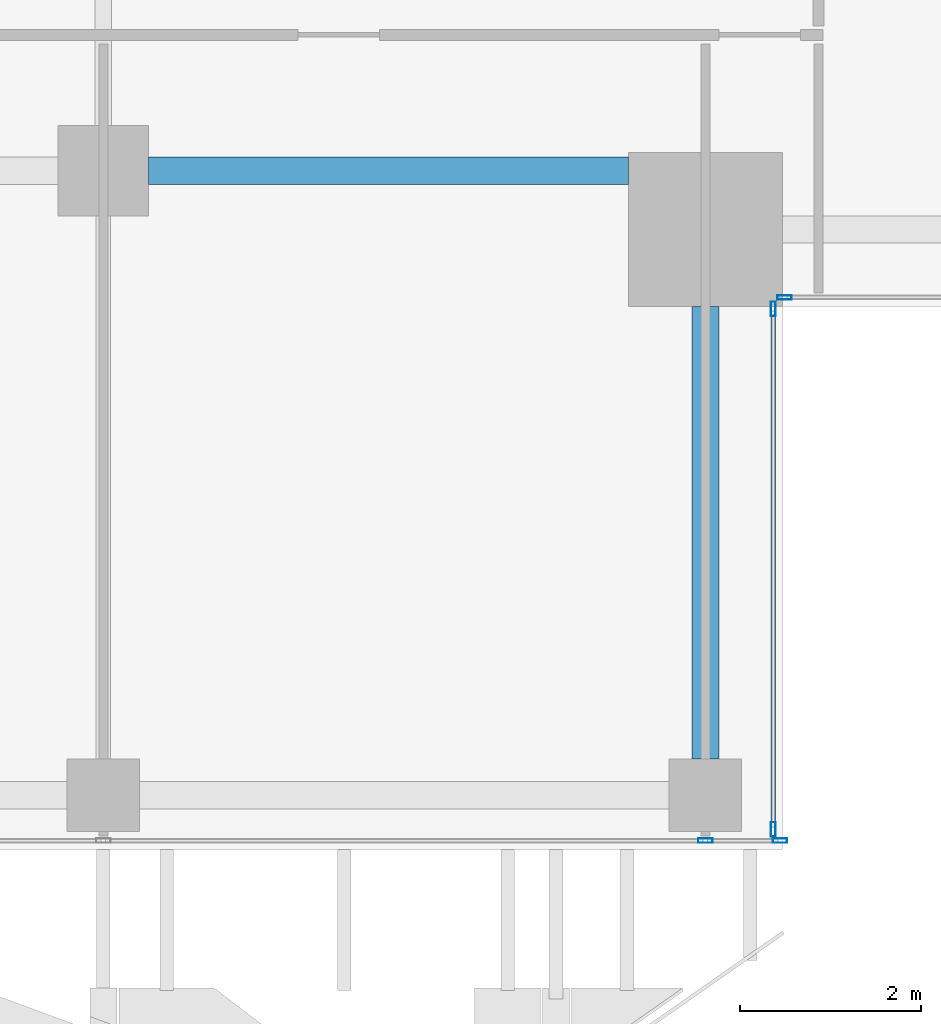
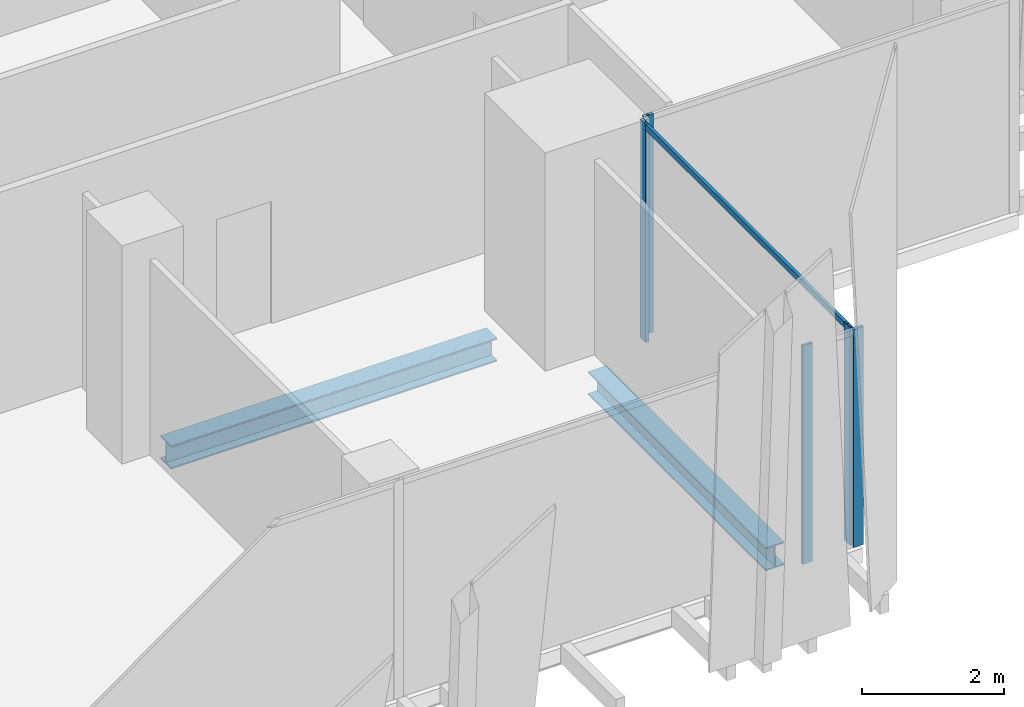
# One storey, part 8 of 33: 6 members, 2 beams, 3 elements without a shape of their own.
"""IFC4 building model written with IfcOpenShell, lengths in metres."""

from ifc_helpers import new_model, si_unit, direction, frame, origin, origin_2d, place, context, subcontext, project, spatial, hollow_rectangle, i_section, extrude, source, transform, mapped, material, material_profile, profile_set, type_object, element, aggregate, save


model = new_model("IFC4")

# Units and contexts
model_context = context("Model", 3, precision=1e-05, world=origin(), true_north=direction((0.0, 1.0)))
body_context = subcontext(model_context, "Body", "Model", "MODEL_VIEW")
ifc_project = project(units=[si_unit("LENGTHUNIT", "METRE"), si_unit("AREAUNIT", "SQUARE_METRE"), si_unit("VOLUMEUNIT", "CUBIC_METRE"), si_unit("PLANEANGLEUNIT", "RADIAN"), si_unit("MASSUNIT", "GRAM", prefix="KILO")], contexts=[model_context])

# Site, building, storey
site_placement = place(None, origin())
site = spatial("IfcSite", under=ifc_project, at=site_placement, CompositionType="ELEMENT")
building_placement = place(site_placement, origin())
building = spatial("IfcBuilding", under=site, at=building_placement, Name="Khomas Fold Tower", CompositionType="ELEMENT")
storey_placement = place(building_placement, frame((0.0, 0.0, 294.199951171875)))
storey = spatial("IfcBuildingStorey", under=building, at=storey_placement, Name="L66", CompositionType="ELEMENT", Elevation=294.199951171875)

# Beams
ifc_material_1 = material(Name="Steel S355", Category="steel")
ifc_material_profile_1 = material_profile(ifc_material_1, i_section(OverallWidth=0.300048828125, OverallDepth=0.39990234375, WebThickness=0.013427734375, FlangeThickness=0.02392578125, at=origin_2d()), Name="HE 400 B")
ifc_profile_set_1 = profile_set([ifc_material_profile_1], Name="Steel S355")
beam_type_1 = type_object("IfcBeamType", Name="HE 400 B spandrel SB5", PredefinedType="SPANDREL", material=ifc_profile_set_1)
shared_shape_1 = source(origin(), body_context, "Body", "SweptSolid", [
    extrude(i_section(OverallWidth=0.300048828125, OverallDepth=0.39990234375, WebThickness=0.013427734375, FlangeThickness=0.02392578125, at=origin_2d()), origin(), (0.0, 0.0, 1.0), 5.0),
])
beam_1_placement = place(storey_placement, frame((41.14990234375, 7.0, -0.449951171875), z_axis=(0.0, 1.0, 0.0), x_axis=(-1.0, 0.0, 0.0)))
element("IfcBeam", 1, at=beam_1_placement, inside=storey, type_object=beam_type_1, Name="SB5", PredefinedType="SPANDREL", context=body_context, shape_type="MappedRepresentation", body=[
    mapped(shared_shape_1, transform((0.0, 0.0, 0.0))),
])
ifc_material_2 = material(Name="Steel S355", Category="steel")
ifc_material_profile_2 = material_profile(ifc_material_2, i_section(OverallWidth=0.300048828125, OverallDepth=0.39990234375, WebThickness=0.013427734375, FlangeThickness=0.02392578125, at=origin_2d()), Name="HE 400 B")
ifc_profile_set_2 = profile_set([ifc_material_profile_2], Name="Steel S355")
beam_type_2 = type_object("IfcBeamType", Name="HE 400 B beam GB1", PredefinedType="BEAM", material=ifc_profile_set_2)
shared_shape_2 = source(origin(), body_context, "Body", "SweptSolid", [
    extrude(i_section(OverallWidth=0.300048828125, OverallDepth=0.39990234375, WebThickness=0.013427734375, FlangeThickness=0.02392578125, at=origin_2d()), origin(), (0.0, 0.0, 1.0), 5.300048828125),
])
beam_2_placement = place(storey_placement, frame((35.0, 13.5, -0.449951171875), z_axis=(1.0, 0.0, 0.0), x_axis=(0.0, 1.0, 0.0)))
element("IfcBeam", 2, at=beam_2_placement, inside=storey, type_object=beam_type_2, Name="GB1", PredefinedType="BEAM", context=body_context, shape_type="MappedRepresentation", body=[
    mapped(shared_shape_2, transform((0.0, 0.0, 0.0))),
])

# Curtain wall, members
ifc_material_3 = material(Name="Aluminium framed double glazing", Category="aluminium")
curtain_wall_type = type_object("IfcCurtainWallType", Name="SK-Unitised clear-glass wall, upper floors CW3", PredefinedType="NOTDEFINED", material=ifc_material_3)
curtain_wall_1_placement = place(storey_placement, origin())
curtain_wall_1 = element("IfcCurtainWall", 3, at=curtain_wall_1_placement, inside=storey, type_object=curtain_wall_type, Name="CW3 run L66 00-0", PredefinedType="NOTDEFINED")
ifc_material_4 = material(Name="Aluminium", Category="aluminium")
ifc_material_profile_3 = material_profile(ifc_material_4, hollow_rectangle(XDim=0.050048828125, YDim=0.159912109375, WallThickness=0.00390625, at=origin_2d()), Name="SK-Unitised clear-glass wall, upper floors mullion CW3-M")
ifc_profile_set_3 = profile_set([ifc_material_profile_3], Name="Aluminium")
member_type_1 = type_object("IfcMemberType", Name="SK-Unitised clear-glass wall, upper floors mullion CW3-M", PredefinedType="MULLION", material=ifc_profile_set_3)
shared_shape_3 = source(origin(), body_context, "Body", "SweptSolid", [
    extrude(hollow_rectangle(XDim=0.050048828125, YDim=0.159912109375, WallThickness=0.00390625, at=origin_2d()), origin(), (0.0, 0.0, 1.0), 3.75),
])
member_1_placement = place(storey_placement, frame((41.14990234375, 6.10009765625, 0.0), z_axis=(0.0, 0.0, 1.0), x_axis=(0.0, 1.0, 0.0)))
member_1 = element("IfcMember", 4, at=member_1_placement, type_object=member_type_1, Name="CW3 mullion 6", PredefinedType="MULLION", context=body_context, shape_type="MappedRepresentation", body=[
    mapped(shared_shape_3, transform((0.0, 0.0, 0.0))),
])
member_2_placement = place(storey_placement, frame((41.97509765625, 6.10009765625, 0.0), z_axis=(0.0, 0.0, 1.0), x_axis=(0.0, 1.0, 0.0)))
member_2 = element("IfcMember", 5, at=member_2_placement, type_object=member_type_1, Name="CW3 mullion 7", PredefinedType="MULLION", context=body_context, shape_type="MappedRepresentation", body=[
    mapped(shared_shape_3, transform((0.0, 0.0, 0.0))),
])
aggregate(curtain_wall_1, [member_1, member_2])

curtain_wall_2_placement = place(storey_placement, origin())
curtain_wall_2 = element("IfcCurtainWall", 6, at=curtain_wall_2_placement, inside=storey, type_object=curtain_wall_type, Name="CW3 corner return L66 01", PredefinedType="NOTDEFINED")
member_3_placement = place(storey_placement, frame((41.89990234375, 6.22509765625, 0.0), z_axis=(0.0, 0.0, 1.0), x_axis=(-1.0, 0.0, 0.0)))
member_3 = element("IfcMember", 7, at=member_3_placement, type_object=member_type_1, Name="CW3 mullion 1", PredefinedType="MULLION", context=body_context, shape_type="MappedRepresentation", body=[
    mapped(shared_shape_3, transform((0.0, 0.0, 0.0))),
])
member_4_placement = place(storey_placement, frame((41.89990234375, 11.97509765625, 0.0), z_axis=(0.0, 0.0, 1.0), x_axis=(-1.0, 0.0, 0.0)))
member_4 = element("IfcMember", 8, at=member_4_placement, type_object=member_type_1, Name="CW3 mullion 2", PredefinedType="MULLION", context=body_context, shape_type="MappedRepresentation", body=[
    mapped(shared_shape_3, transform((0.0, 0.0, 0.0))),
])

# Curtain wall, member
curtain_wall_3_placement = place(storey_placement, origin())
curtain_wall_3 = element("IfcCurtainWall", 9, at=curtain_wall_3_placement, inside=storey, type_object=curtain_wall_type, Name="CW3 corner return L66 02", PredefinedType="NOTDEFINED")
member_5_placement = place(storey_placement, frame((42.02490234375, 12.10009765625, 0.0), z_axis=(0.0, 0.0, 1.0), x_axis=(0.0, 1.0, 0.0)))
member_5 = element("IfcMember", 10, at=member_5_placement, type_object=member_type_1, Name="CW3 mullion 1", PredefinedType="MULLION", context=body_context, shape_type="MappedRepresentation", body=[
    mapped(shared_shape_3, transform((0.0, 0.0, 0.0))),
])
aggregate(curtain_wall_3, [member_5])

# Member
ifc_material_5 = material(Name="Aluminium", Category="aluminium")
ifc_material_profile_4 = material_profile(ifc_material_5, hollow_rectangle(XDim=0.050048828125, YDim=0.10009765625, WallThickness=0.00390625, at=origin_2d()), Name="SK-Unitised clear-glass wall, upper floors transom CW3-T")
ifc_profile_set_4 = profile_set([ifc_material_profile_4], Name="Aluminium")
member_type_2 = type_object("IfcMemberType", Name="SK-Unitised clear-glass wall, upper floors transom CW3-T", PredefinedType="USERDEFINED", material=ifc_profile_set_4)
shared_shape_4 = source(origin(), body_context, "Body", "SweptSolid", [
    extrude(hollow_rectangle(XDim=0.050048828125, YDim=0.10009765625, WallThickness=0.00390625, at=origin_2d()), origin(), (0.0, 0.0, 1.0), 5.699951171875),
])
member_6_placement = place(storey_placement, frame((41.89990234375, 6.25, 3.699951171875), z_axis=(0.0, 1.0, 0.0), x_axis=(-1.0, 0.0, 0.0)))
member_6 = element("IfcMember", 11, at=member_6_placement, type_object=member_type_2, Name="CW3 transom 1", ObjectType="TRANSOM", PredefinedType="USERDEFINED", context=body_context, shape_type="MappedRepresentation", body=[
    mapped(shared_shape_4, transform((0.0, 0.0, 0.0))),
])

aggregate(curtain_wall_2, [member_3, member_4, member_6])

save(model, "model.ifc")
